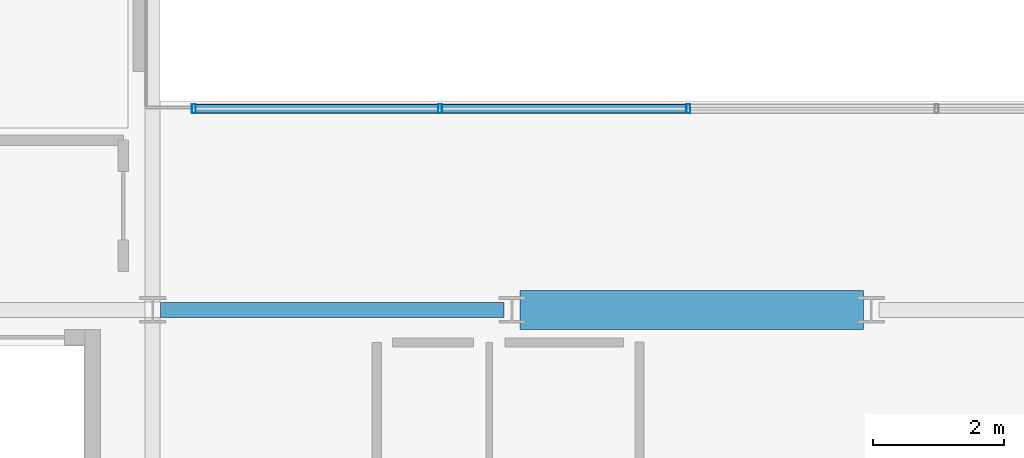
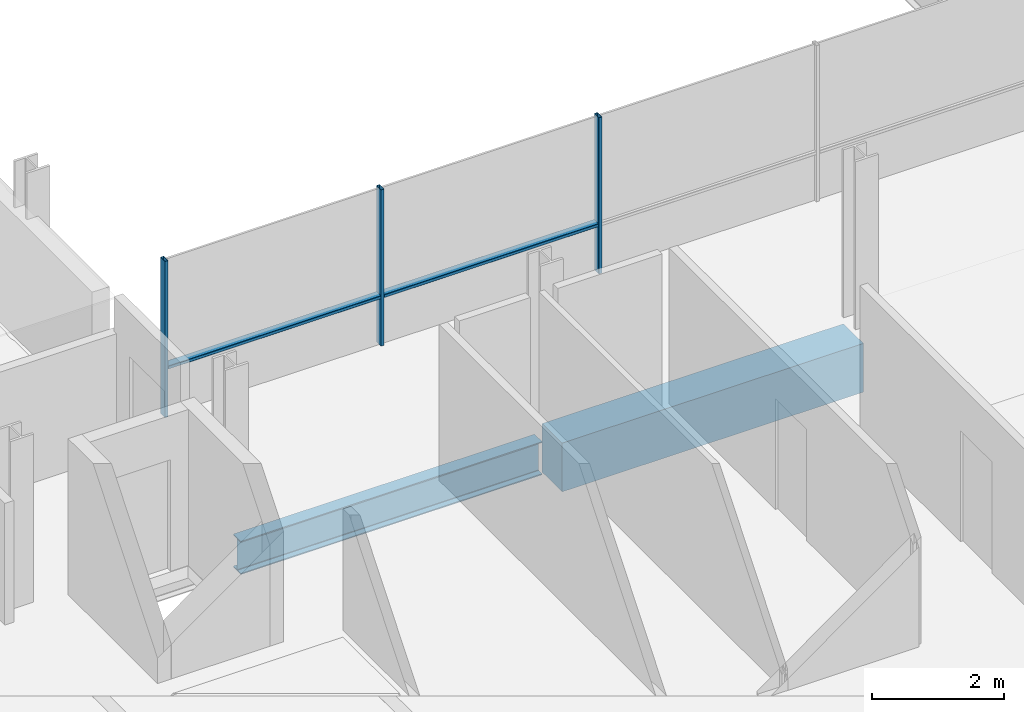
# One storey, part 6 of 40: 5 members, 2 beams, 1 element without a shape of its own.
"""IFC4 building model written with IfcOpenShell, lengths in metres."""

from ifc_helpers import new_model, si_unit, direction, frame, origin, origin_2d, place, context, subcontext, project, spatial, rectangle, hollow_rectangle, i_section, extrude, material, layer, layer_set, material_profile, profile_set, type_object, element, aggregate, save


model = new_model("IFC4")

# Units and contexts
model_context = context("Model", 3, precision=1e-05, world=origin(), true_north=direction((0.0, 1.0)))
body_context = subcontext(model_context, "Body", "Model", "MODEL_VIEW")
ifc_project = project(units=[si_unit("LENGTHUNIT", "METRE"), si_unit("AREAUNIT", "SQUARE_METRE"), si_unit("VOLUMEUNIT", "CUBIC_METRE"), si_unit("PLANEANGLEUNIT", "RADIAN"), si_unit("MASSUNIT", "GRAM", prefix="KILO")], contexts=[model_context])

# Site, building, storey
site_placement = place(None, origin())
site = spatial("IfcSite", under=ifc_project, at=site_placement, CompositionType="ELEMENT")
building_placement = place(site_placement, origin())
building = spatial("IfcBuilding", under=site, at=building_placement, Name="Brevholm Reach", CompositionType="ELEMENT")
storey_placement = place(building_placement, frame((0.0, 0.0, 160.39990234375)))
storey = spatial("IfcBuildingStorey", under=building, at=storey_placement, Name="L48", CompositionType="ELEMENT", Elevation=160.39990234375)

# Beams
ifc_material_1 = material(Name="Concrete C50/60", Category="concrete")
ifc_material_profile_1 = material_profile(ifc_material_1, rectangle(XDim=0.60009765625, YDim=0.89990234375, at=origin_2d()), Name="RC 600x900")
ifc_profile_set_1 = profile_set([ifc_material_profile_1], Name="Concrete C50/60")
beam_type_1 = type_object("IfcBeamType", Name="BM-CB600", PredefinedType="LINTEL", material=ifc_profile_set_1)
beam_1_placement = place(storey_placement, frame((27.3701171875, 10.0, -0.669921875), z_axis=(1.0, 0.0, 0.0), x_axis=(0.0, 1.0, 0.0)))
element("IfcBeam", 1, at=beam_1_placement, inside=storey, type_object=beam_type_1, Name="L48 CB-02 Framing Beam", PredefinedType="LINTEL", context=body_context, shape_type="SweptSolid", body=[
    extrude(rectangle(XDim=0.60009765625, YDim=0.89990234375, at=origin_2d()), origin(), (0.0, 0.0, 1.0), 5.259765625),
])
ifc_material_2 = material(Name="Structural Steel S355J2", Category="steel")
ifc_material_profile_2 = material_profile(ifc_material_2, i_section(OverallWidth=0.22900390625, OverallDepth=0.6123046875, WebThickness=0.011962890625, FlangeThickness=0.01953125, FilletRadius=0.0126953125, at=origin_2d()), Name="UKB 610x229x125")
ifc_profile_set_2 = profile_set([ifc_material_profile_2], Name="Structural Steel S355J2")
beam_type_2 = type_object("IfcBeamType", Name="BM-SP610", PredefinedType="SPANDREL", material=ifc_profile_set_2)
beam_2_placement = place(storey_placement, frame((21.8701171875, 10.0, -0.526123046875), z_axis=(1.0, 0.0, 0.0), x_axis=(0.0, 1.0, 0.0)))
element("IfcBeam", 2, at=beam_2_placement, inside=storey, type_object=beam_type_2, Name="L48 SP-01 Framing Beam", PredefinedType="SPANDREL", context=body_context, shape_type="SweptSolid", body=[
    extrude(i_section(OverallWidth=0.22900390625, OverallDepth=0.6123046875, WebThickness=0.011962890625, FlangeThickness=0.01953125, FilletRadius=0.0126953125, at=origin_2d()), origin(), (0.0, 0.0, 1.0), 5.259765625),
])

# Curtain wall, members
ifc_material_3 = material(Name="Dark Anodised Aluminium 6063-T6 and Solar-Control Glass", Category="aluminium")
ifc_layer = layer(ifc_material_3, 0.139892578125)
ifc_layer_set = layer_set([ifc_layer], Name="Dark Anodised Aluminium 6063-T6 and Solar-Control Glass")
curtain_wall_type = type_object("IfcCurtainWallType", Name="CW-02", PredefinedType="NOTDEFINED", material=ifc_layer_set)
curtain_wall_placement = place(storey_placement, origin())
curtain_wall = element("IfcCurtainWall", 3, at=curtain_wall_placement, inside=storey, type_object=curtain_wall_type, Name="L48 Curtain Wall CW-02", PredefinedType="NOTDEFINED")
ifc_material_4 = material(Name="Dark Anodised Aluminium 6063-T6", Category="aluminium")
ifc_material_profile_3 = material_profile(ifc_material_4, hollow_rectangle(XDim=0.06005859375, YDim=0.139892578125, WallThickness=0.0048828125, InnerFilletRadius=0.0048828125, OuterFilletRadius=0.010009765625, at=origin_2d()), Name="RHS 140x60x5")
ifc_profile_set_3 = profile_set([ifc_material_profile_3], Name="Dark Anodised Aluminium 6063-T6")
member_type_1 = type_object("IfcMemberType", Name="CWM-140", PredefinedType="MULLION", material=ifc_profile_set_3)
member_1_placement = place(storey_placement, frame((22.3798828125, 13.080078125, 0.0), z_axis=(0.0, 0.0, 1.0), x_axis=(1.0, 0.0, 0.0)))
member_1 = element("IfcMember", 4, at=member_1_placement, type_object=member_type_1, Name="CM-140 Mullion 1", PredefinedType="MULLION", context=body_context, shape_type="SweptSolid", body=[
    extrude(hollow_rectangle(XDim=0.06005859375, YDim=0.139892578125, WallThickness=0.0048828125, InnerFilletRadius=0.0048828125, OuterFilletRadius=0.010009765625, at=origin_2d()), origin(), (0.0, 0.0, 1.0), 2.880126953125),
])
member_2_placement = place(storey_placement, frame((26.14990234375, 13.080078125, 0.0), z_axis=(0.0, 0.0, 1.0), x_axis=(1.0, 0.0, 0.0)))
member_2 = element("IfcMember", 5, at=member_2_placement, type_object=member_type_1, Name="CM-140 Mullion 2", PredefinedType="MULLION", context=body_context, shape_type="SweptSolid", body=[
    extrude(hollow_rectangle(XDim=0.06005859375, YDim=0.139892578125, WallThickness=0.0048828125, InnerFilletRadius=0.0048828125, OuterFilletRadius=0.010009765625, at=origin_2d()), origin(), (0.0, 0.0, 1.0), 2.880126953125),
])
member_3_placement = place(storey_placement, frame((29.949951171875, 13.080078125, 0.0), z_axis=(0.0, 0.0, 1.0), x_axis=(1.0, 0.0, 0.0)))
member_3 = element("IfcMember", 6, at=member_3_placement, type_object=member_type_1, Name="CM-140 Mullion 3", PredefinedType="MULLION", context=body_context, shape_type="SweptSolid", body=[
    extrude(hollow_rectangle(XDim=0.06005859375, YDim=0.139892578125, WallThickness=0.0048828125, InnerFilletRadius=0.0048828125, OuterFilletRadius=0.010009765625, at=origin_2d()), origin(), (0.0, 0.0, 1.0), 2.880126953125),
])
ifc_material_5 = material(Name="Dark Anodised Aluminium 6063-T6", Category="aluminium")
ifc_material_profile_4 = material_profile(ifc_material_5, hollow_rectangle(XDim=0.06005859375, YDim=0.139892578125, WallThickness=0.0048828125, InnerFilletRadius=0.0048828125, OuterFilletRadius=0.010009765625, at=origin_2d()), Name="RHS 140x60x5")
ifc_profile_set_4 = profile_set([ifc_material_profile_4], Name="Dark Anodised Aluminium 6063-T6")
member_type_2 = type_object("IfcMemberType", Name="CWT-140", PredefinedType="NOTDEFINED", material=ifc_profile_set_4)
member_4_placement = place(storey_placement, frame((22.409912109375, 13.080078125, 0.900146484375), z_axis=(1.0, 0.0, 0.0), x_axis=(0.0, 0.0, 1.0)))
member_4 = element("IfcMember", 7, at=member_4_placement, type_object=member_type_2, Name="CT-140 Transom 1.1", ObjectType="TRANSOM", PredefinedType="USERDEFINED", context=body_context, shape_type="SweptSolid", body=[
    extrude(hollow_rectangle(XDim=0.06005859375, YDim=0.139892578125, WallThickness=0.0048828125, InnerFilletRadius=0.0048828125, OuterFilletRadius=0.010009765625, at=origin_2d()), origin(), (0.0, 0.0, 1.0), 3.710205078125),
])
member_5_placement = place(storey_placement, frame((26.179931640625, 13.080078125, 0.900146484375), z_axis=(1.0, 0.0, 0.0), x_axis=(0.0, 0.0, 1.0)))
member_5 = element("IfcMember", 8, at=member_5_placement, type_object=member_type_2, Name="CT-140 Transom 2.1", ObjectType="TRANSOM", PredefinedType="USERDEFINED", context=body_context, shape_type="SweptSolid", body=[
    extrude(hollow_rectangle(XDim=0.06005859375, YDim=0.139892578125, WallThickness=0.0048828125, InnerFilletRadius=0.0048828125, OuterFilletRadius=0.010009765625, at=origin_2d()), origin(), (0.0, 0.0, 1.0), 3.739990234375),
])
aggregate(curtain_wall, [member_1, member_2, member_3, member_4, member_5])

save(model, "model.ifc")
